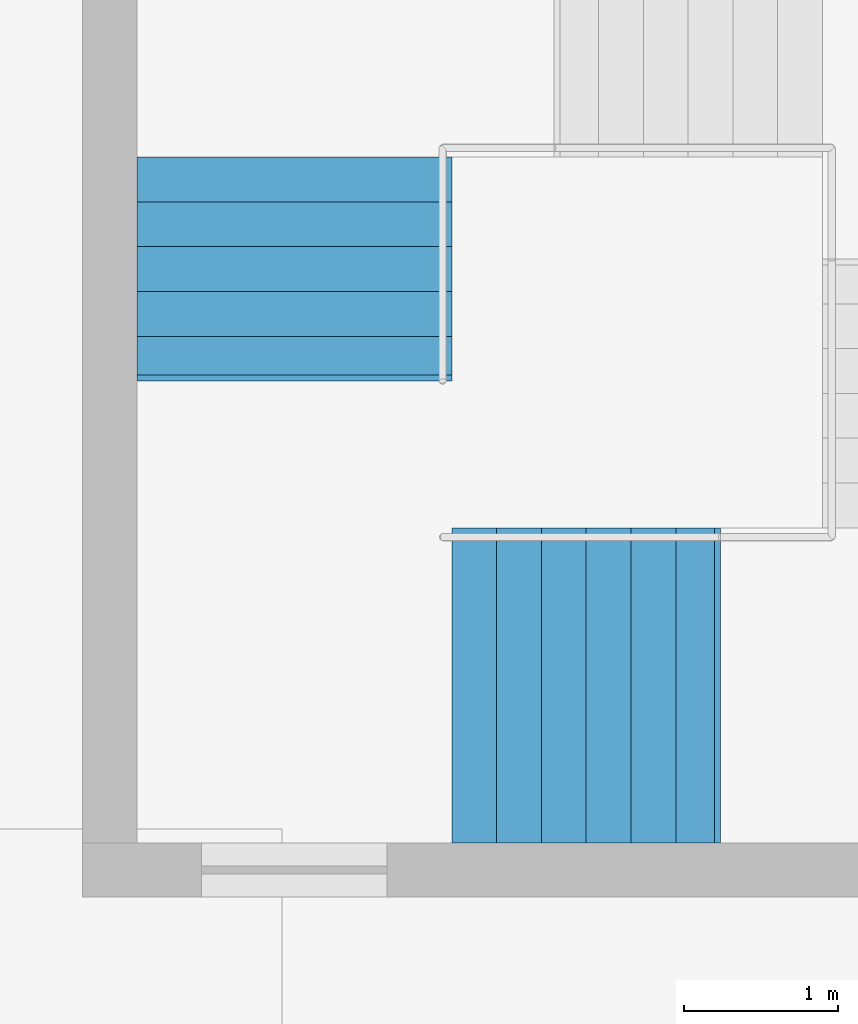
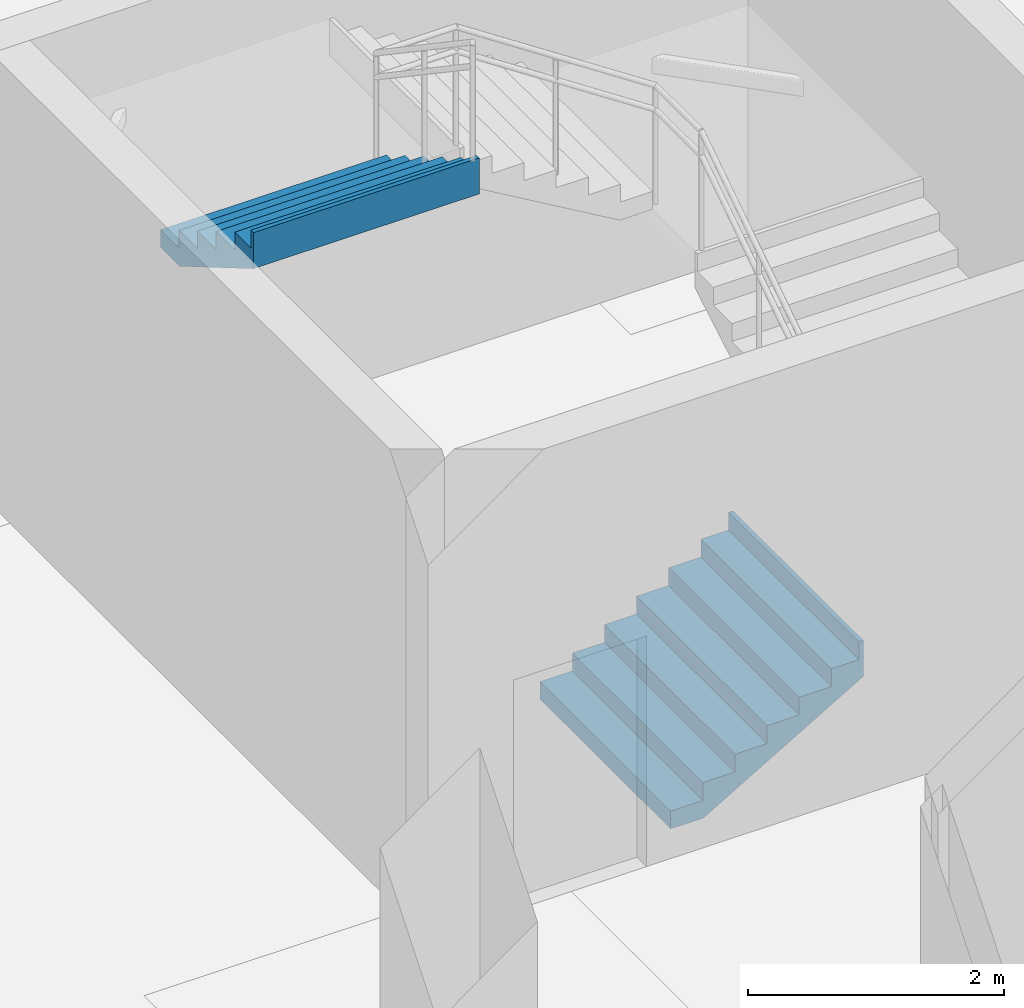
# One storey, part 21 of 30: 2 stair flights, 1 element without a shape of its own.
"""IFC4 building model written with IfcOpenShell, lengths in metres."""

from ifc_helpers import new_model, si_unit, direction, frame, origin, place, context, subcontext, project, spatial, triangles, material, type_object, element, aggregate, save


model = new_model("IFC4")

# Units and contexts
model_context = context("Model", 3, precision=1e-05, world=origin(), true_north=direction((0.0, 1.0)))
body_context = subcontext(model_context, "Body", "Model", "MODEL_VIEW")
ifc_project = project(units=[si_unit("LENGTHUNIT", "METRE"), si_unit("AREAUNIT", "SQUARE_METRE"), si_unit("VOLUMEUNIT", "CUBIC_METRE"), si_unit("PLANEANGLEUNIT", "RADIAN"), si_unit("MASSUNIT", "GRAM", prefix="KILO")], contexts=[model_context])

# Site, building, storey
site_placement = place(None, origin())
site = spatial("IfcSite", under=ifc_project, at=site_placement, CompositionType="ELEMENT")
building_placement = place(site_placement, origin())
building = spatial("IfcBuilding", under=site, at=building_placement, Name="Sillaruma Civic Art Gallery", CompositionType="ELEMENT")
storey_placement = place(building_placement, frame((0.0, 0.0, -9.179931640625)))
storey = spatial("IfcBuildingStorey", under=building, at=storey_placement, Name="B02", CompositionType="ELEMENT", Elevation=-9.179931640625)

# Stair, stair flights
ifc_material = material(Name="Concrete H35 (35 MPa)", Category="concrete")
stair_type = type_object("IfcStairType", Name="STR-4F-27", PredefinedType="USERDEFINED", material=ifc_material)
stair_placement = place(storey_placement, origin())
stair = element("IfcStair", 1, at=stair_placement, inside=storey, type_object=stair_type, Name="Protected Exit Stair ST-04 (East Bar) (B02)", ObjectType="THREE_RETURN_STAIR", PredefinedType="USERDEFINED")
stair_flight_type_1 = type_object("IfcStairFlightType", Name="SFL-STR-6", PredefinedType="STRAIGHT", material=ifc_material)
stair_flight_1_placement = place(storey_placement, frame((99.8798828125, 55.64990234375, 3.56982421875), z_axis=(0.0, 0.0, 1.0), x_axis=(0.0, -1.0, 0.0)))
stair_flight_1 = element("IfcStairFlight", 2, at=stair_flight_1_placement, type_object=stair_flight_type_1, Name="ST-04 flight 4", NumberOfRisers=6, NumberOfTreads=5, PredefinedType="STRAIGHT", RiserHeight=0.17, TreadLength=0.29, context=body_context, shape_type="Tessellation", body=[
    triangles([(0.0, -1.02001953125, 0.0), (0.29, -1.02001953125, 0.0), (0.296365, -1.02001953125, 0.0), (0.58, -1.02001953125, 0.166269), (0.87, -1.02001953125, 0.336269), (1.16, -1.02001953125, 0.506269), (1.409951, -1.02001953125, 0.652792), (1.449951, -1.02001953125, 0.67624), (1.449951, -1.02001953125, 1.02), (1.409951, -1.02001953125, 1.02), (1.409951, -1.02001953125, 0.85), (1.16, -1.02001953125, 0.85), (1.16, -1.02001953125, 0.68), (0.87, -1.02001953125, 0.68), (0.87, -1.02001953125, 0.51), (0.58, -1.02001953125, 0.51), (0.58, -1.02001953125, 0.34), (0.296365, -1.02001953125, 0.34), (0.29, -1.02001953125, 0.34), (0.29, -1.02001953125, 0.17), (0.0, -1.02001953125, 0.17), (0.0, -0.05, 0.0), (0.29, -0.05, 0.0), (0.296365, -0.05, 0.0), (0.58, -0.05, 0.166269), (0.87, -0.05, 0.336269), (1.16, -0.05, 0.506269), (1.409951, -0.05, 0.652792), (1.449951, -0.05, 0.67624), (1.449951, -0.05, 1.02), (1.409951, -0.05, 1.02), (1.409951, -0.05, 0.85), (1.16, -0.05, 0.85), (1.16, -0.05, 0.68), (0.87, -0.05, 0.68), (0.87, -0.05, 0.51), (0.58, -0.05, 0.51), (0.58, -0.05, 0.34), (0.296365, -0.05, 0.34), (0.29, -0.05, 0.34), (0.29, -0.05, 0.17), (0.0, -0.05, 0.17), (0.0, -0.0375, 0.0), (0.29, -0.0375, 0.0), (0.296365, -0.0375, 0.0), (0.58, -0.0375, 0.166269), (0.87, -0.0375, 0.336269), (1.16, -0.0375, 0.506269), (1.409951, -0.0375, 0.652792), (1.449951, -0.0375, 0.67624), (1.449951, -0.0375, 1.02), (1.409951, -0.0375, 1.02), (1.409951, -0.0375, 0.85), (1.16, -0.0375, 0.85), (1.16, -0.0375, 0.68), (0.87, -0.0375, 0.68), (0.87, -0.0375, 0.51), (0.58, -0.0375, 0.51), (0.58, -0.0375, 0.34), (0.296365, -0.0375, 0.34), (0.29, -0.0375, 0.34), (0.29, -0.0375, 0.17), (0.0, -0.0375, 0.17), (0.0, -0.025, 0.0), (0.29, -0.025, 0.0), (0.296365, -0.025, 0.0), (0.58, -0.025, 0.166269), (0.87, -0.025, 0.336269), (1.16, -0.025, 0.506269), (1.409951, -0.025, 0.652792), (1.449951, -0.025, 0.67624), (1.449951, -0.025, 1.02), (1.409951, -0.025, 1.02), (1.409951, -0.025, 0.85), (1.16, -0.025, 0.85), (1.16, -0.025, 0.68), (0.87, -0.025, 0.68), (0.87, -0.025, 0.51), (0.58, -0.025, 0.51), (0.58, -0.025, 0.34), (0.296365, -0.025, 0.34), (0.29, -0.025, 0.34), (0.29, -0.025, 0.17), (0.0, -0.025, 0.17), (0.0, -0.0125, 0.0), (0.29, -0.0125, 0.0), (0.296365, -0.0125, 0.0), (0.58, -0.0125, 0.166269), (0.87, -0.0125, 0.336269), (1.16, -0.0125, 0.506269), (1.409951, -0.0125, 0.652792), (1.449951, -0.0125, 0.67624), (1.449951, -0.0125, 1.02), (1.409951, -0.0125, 1.02), (1.409951, -0.0125, 0.85), (1.16, -0.0125, 0.85), (1.16, -0.0125, 0.68), (0.87, -0.0125, 0.68), (0.87, -0.0125, 0.51), (0.58, -0.0125, 0.51), (0.58, -0.0125, 0.34), (0.296365, -0.0125, 0.34), (0.29, -0.0125, 0.34), (0.29, -0.0125, 0.17), (0.0, -0.0125, 0.17), (0.0, 0.0, 0.0), (0.29, 0.0, 0.0), (0.296365, 0.0, 0.0), (0.58, 0.0, 0.166269), (0.87, 0.0, 0.336269), (1.16, 0.0, 0.506269), (1.409951, 0.0, 0.652792), (1.449951, 0.0, 0.67624), (1.449951, 0.0, 1.02), (1.409951, 0.0, 1.02), (1.409951, 0.0, 0.85), (1.16, 0.0, 0.85), (1.16, 0.0, 0.68), (0.87, 0.0, 0.68), (0.87, 0.0, 0.51), (0.58, 0.0, 0.51), (0.58, 0.0, 0.34), (0.296365, 0.0, 0.34), (0.29, 0.0, 0.34), (0.29, 0.0, 0.17), (0.0, 0.0, 0.17), (0.0, 0.0125, 0.0), (0.29, 0.0125, 0.0), (0.296365, 0.0125, 0.0), (0.58, 0.0125, 0.166269), (0.87, 0.0125, 0.336269), (1.16, 0.0125, 0.506269), (1.409951, 0.0125, 0.652792), (1.449951, 0.0125, 0.67624), (1.449951, 0.0125, 1.02), (1.409951, 0.0125, 1.02), (1.409951, 0.0125, 0.85), (1.16, 0.0125, 0.85), (1.16, 0.0125, 0.68), (0.87, 0.0125, 0.68), (0.87, 0.0125, 0.51), (0.58, 0.0125, 0.51), (0.58, 0.0125, 0.34), (0.296365, 0.0125, 0.34), (0.29, 0.0125, 0.34), (0.29, 0.0125, 0.17), (0.0, 0.0125, 0.17), (0.0, 0.025, 0.0), (0.29, 0.025, 0.0), (0.296365, 0.025, 0.0), (0.58, 0.025, 0.166269), (0.87, 0.025, 0.336269), (1.16, 0.025, 0.506269), (1.409951, 0.025, 0.652792), (1.449951, 0.025, 0.67624), (1.449951, 0.025, 1.02), (1.409951, 0.025, 1.02), (1.409951, 0.025, 0.85), (1.16, 0.025, 0.85), (1.16, 0.025, 0.68), (0.87, 0.025, 0.68), (0.87, 0.025, 0.51), (0.58, 0.025, 0.51), (0.58, 0.025, 0.34), (0.296365, 0.025, 0.34), (0.29, 0.025, 0.34), (0.29, 0.025, 0.17), (0.0, 0.025, 0.17), (0.0, 0.0375, 0.0), (0.29, 0.0375, 0.0), (0.296365, 0.0375, 0.0), (0.58, 0.0375, 0.166269), (0.87, 0.0375, 0.336269), (1.16, 0.0375, 0.506269), (1.409951, 0.0375, 0.652792), (1.449951, 0.0375, 0.67624), (1.449951, 0.0375, 1.02), (1.409951, 0.0375, 1.02), (1.409951, 0.0375, 0.85), (1.16, 0.0375, 0.85), (1.16, 0.0375, 0.68), (0.87, 0.0375, 0.68), (0.87, 0.0375, 0.51), (0.58, 0.0375, 0.51), (0.58, 0.0375, 0.34), (0.296365, 0.0375, 0.34), (0.29, 0.0375, 0.34), (0.29, 0.0375, 0.17), (0.0, 0.0375, 0.17), (0.0, 0.05, 0.0), (0.29, 0.05, 0.0), (0.296365, 0.05, 0.0), (0.58, 0.05, 0.166269), (0.87, 0.05, 0.336269), (1.16, 0.05, 0.506269), (1.409951, 0.05, 0.652792), (1.449951, 0.05, 0.67624), (1.449951, 0.05, 1.02), (1.409951, 0.05, 1.02), (1.409951, 0.05, 0.85), (1.16, 0.05, 0.85), (1.16, 0.05, 0.68), (0.87, 0.05, 0.68), (0.87, 0.05, 0.51), (0.58, 0.05, 0.51), (0.58, 0.05, 0.34), (0.296365, 0.05, 0.34), (0.29, 0.05, 0.34), (0.29, 0.05, 0.17), (0.0, 0.05, 0.17), (0.0, 1.02001953125, 0.0), (0.29, 1.02001953125, 0.0), (0.296365, 1.02001953125, 0.0), (0.58, 1.02001953125, 0.166269), (0.87, 1.02001953125, 0.336269), (1.16, 1.02001953125, 0.506269), (1.409951, 1.02001953125, 0.652792), (1.449951, 1.02001953125, 0.67624), (1.449951, 1.02001953125, 1.02), (1.409951, 1.02001953125, 1.02), (1.409951, 1.02001953125, 0.85), (1.16, 1.02001953125, 0.85), (1.16, 1.02001953125, 0.68), (0.87, 1.02001953125, 0.68), (0.87, 1.02001953125, 0.51), (0.58, 1.02001953125, 0.51), (0.58, 1.02001953125, 0.34), (0.296365, 1.02001953125, 0.34), (0.29, 1.02001953125, 0.34), (0.29, 1.02001953125, 0.17), (0.0, 1.02001953125, 0.17)], [[1, 2, 20], [1, 20, 21], [2, 3, 18], [2, 18, 20], [20, 18, 19], [3, 4, 17], [3, 17, 18], [4, 5, 15], [4, 15, 17], [17, 15, 16], [5, 6, 13], [5, 13, 15], [15, 13, 14], [6, 7, 11], [6, 11, 13], [13, 11, 12], [7, 8, 9], [7, 9, 11], [11, 9, 10], [230, 212, 211], [231, 230, 211], [228, 213, 212], [230, 228, 212], [229, 228, 230], [227, 214, 213], [228, 227, 213], [225, 215, 214], [227, 225, 214], [226, 225, 227], [223, 216, 215], [225, 223, 215], [224, 223, 225], [221, 217, 216], [223, 221, 216], [222, 221, 223], [219, 218, 217], [221, 219, 217], [220, 219, 221], [2, 1, 22], [2, 22, 23], [3, 2, 23], [3, 23, 24], [4, 3, 24], [4, 24, 25], [5, 4, 25], [5, 25, 26], [6, 5, 26], [6, 26, 27], [7, 6, 27], [7, 27, 28], [8, 7, 28], [8, 28, 29], [9, 8, 29], [9, 29, 30], [10, 9, 30], [10, 30, 31], [11, 10, 31], [11, 31, 32], [12, 11, 32], [12, 32, 33], [13, 12, 33], [13, 33, 34], [14, 13, 34], [14, 34, 35], [15, 14, 35], [15, 35, 36], [16, 15, 36], [16, 36, 37], [17, 16, 37], [17, 37, 38], [18, 17, 38], [18, 38, 39], [19, 18, 39], [19, 39, 40], [20, 19, 40], [20, 40, 41], [21, 20, 41], [21, 41, 42], [1, 21, 42], [1, 42, 22], [23, 22, 43], [23, 43, 44], [24, 23, 44], [24, 44, 45], [25, 24, 45], [25, 45, 46], [26, 25, 46], [26, 46, 47], [27, 26, 47], [27, 47, 48], [28, 27, 48], [28, 48, 49], [29, 28, 49], [29, 49, 50], [30, 29, 50], [30, 50, 51], [31, 30, 51], [31, 51, 52], [32, 31, 52], [32, 52, 53], [33, 32, 53], [33, 53, 54], [34, 33, 54], [34, 54, 55], [35, 34, 55], [35, 55, 56], [36, 35, 56], [36, 56, 57], [37, 36, 57], [37, 57, 58], [38, 37, 58], [38, 58, 59], [39, 38, 59], [39, 59, 60], [40, 39, 60], [40, 60, 61], [41, 40, 61], [41, 61, 62], [42, 41, 62], [42, 62, 63], [22, 42, 63], [22, 63, 43], [44, 43, 64], [44, 64, 65], [45, 44, 65], [45, 65, 66], [46, 45, 66], [46, 66, 67], [47, 46, 67], [47, 67, 68], [48, 47, 68], [48, 68, 69], [49, 48, 69], [49, 69, 70], [50, 49, 70], [50, 70, 71], [51, 50, 71], [51, 71, 72], [52, 51, 72], [52, 72, 73], [53, 52, 73], [53, 73, 74], [54, 53, 74], [54, 74, 75], [55, 54, 75], [55, 75, 76], [56, 55, 76], [56, 76, 77], [57, 56, 77], [57, 77, 78], [58, 57, 78], [58, 78, 79], [59, 58, 79], [59, 79, 80], [60, 59, 80], [60, 80, 81], [61, 60, 81], [61, 81, 82], [62, 61, 82], [62, 82, 83], [63, 62, 83], [63, 83, 84], [43, 63, 84], [43, 84, 64], [65, 64, 85], [65, 85, 86], [66, 65, 86], [66, 86, 87], [67, 66, 87], [67, 87, 88], [68, 67, 88], [68, 88, 89], [69, 68, 89], [69, 89, 90], [70, 69, 90], [70, 90, 91], [71, 70, 91], [71, 91, 92], [72, 71, 92], [72, 92, 93], [73, 72, 93], [73, 93, 94], [74, 73, 94], [74, 94, 95], [75, 74, 95], [75, 95, 96], [76, 75, 96], [76, 96, 97], [77, 76, 97], [77, 97, 98], [78, 77, 98], [78, 98, 99], [79, 78, 99], [79, 99, 100], [80, 79, 100], [80, 100, 101], [81, 80, 101], [81, 101, 102], [82, 81, 102], [82, 102, 103], [83, 82, 103], [83, 103, 104], [84, 83, 104], [84, 104, 105], [64, 84, 105], [64, 105, 85], [86, 85, 106], [86, 106, 107], [87, 86, 107], [87, 107, 108], [88, 87, 108], [88, 108, 109], [89, 88, 109], [89, 109, 110], [90, 89, 110], [90, 110, 111], [91, 90, 111], [91, 111, 112], [92, 91, 112], [92, 112, 113], [93, 92, 113], [93, 113, 114], [94, 93, 114], [94, 114, 115], [95, 94, 115], [95, 115, 116], [96, 95, 116], [96, 116, 117], [97, 96, 117], [97, 117, 118], [98, 97, 118], [98, 118, 119], [99, 98, 119], [99, 119, 120], [100, 99, 120], [100, 120, 121], [101, 100, 121], [101, 121, 122], [102, 101, 122], [102, 122, 123], [103, 102, 123], [103, 123, 124], [104, 103, 124], [104, 124, 125], [105, 104, 125], [105, 125, 126], [85, 105, 126], [85, 126, 106], [107, 106, 127], [107, 127, 128], [108, 107, 128], [108, 128, 129], [109, 108, 129], [109, 129, 130], [110, 109, 130], [110, 130, 131], [111, 110, 131], [111, 131, 132], [112, 111, 132], [112, 132, 133], [113, 112, 133], [113, 133, 134], [114, 113, 134], [114, 134, 135], [115, 114, 135], [115, 135, 136], [116, 115, 136], [116, 136, 137], [117, 116, 137], [117, 137, 138], [118, 117, 138], [118, 138, 139], [119, 118, 139], [119, 139, 140], [120, 119, 140], [120, 140, 141], [121, 120, 141], [121, 141, 142], [122, 121, 142], [122, 142, 143], [123, 122, 143], [123, 143, 144], [124, 123, 144], [124, 144, 145], [125, 124, 145], [125, 145, 146], [126, 125, 146], [126, 146, 147], [106, 126, 147], [106, 147, 127], [128, 127, 148], [128, 148, 149], [129, 128, 149], [129, 149, 150], [130, 129, 150], [130, 150, 151], [131, 130, 151], [131, 151, 152], [132, 131, 152], [132, 152, 153], [133, 132, 153], [133, 153, 154], [134, 133, 154], [134, 154, 155], [135, 134, 155], [135, 155, 156], [136, 135, 156], [136, 156, 157], [137, 136, 157], [137, 157, 158], [138, 137, 158], [138, 158, 159], [139, 138, 159], [139, 159, 160], [140, 139, 160], [140, 160, 161], [141, 140, 161], [141, 161, 162], [142, 141, 162], [142, 162, 163], [143, 142, 163], [143, 163, 164], [144, 143, 164], [144, 164, 165], [145, 144, 165], [145, 165, 166], [146, 145, 166], [146, 166, 167], [147, 146, 167], [147, 167, 168], [127, 147, 168], [127, 168, 148], [149, 148, 169], [149, 169, 170], [150, 149, 170], [150, 170, 171], [151, 150, 171], [151, 171, 172], [152, 151, 172], [152, 172, 173], [153, 152, 173], [153, 173, 174], [154, 153, 174], [154, 174, 175], [155, 154, 175], [155, 175, 176], [156, 155, 176], [156, 176, 177], [157, 156, 177], [157, 177, 178], [158, 157, 178], [158, 178, 179], [159, 158, 179], [159, 179, 180], [160, 159, 180], [160, 180, 181], [161, 160, 181], [161, 181, 182], [162, 161, 182], [162, 182, 183], [163, 162, 183], [163, 183, 184], [164, 163, 184], [164, 184, 185], [165, 164, 185], [165, 185, 186], [166, 165, 186], [166, 186, 187], [167, 166, 187], [167, 187, 188], [168, 167, 188], [168, 188, 189], [148, 168, 189], [148, 189, 169], [170, 169, 190], [170, 190, 191], [171, 170, 191], [171, 191, 192], [172, 171, 192], [172, 192, 193], [173, 172, 193], [173, 193, 194], [174, 173, 194], [174, 194, 195], [175, 174, 195], [175, 195, 196], [176, 175, 196], [176, 196, 197], [177, 176, 197], [177, 197, 198], [178, 177, 198], [178, 198, 199], [179, 178, 199], [179, 199, 200], [180, 179, 200], [180, 200, 201], [181, 180, 201], [181, 201, 202], [182, 181, 202], [182, 202, 203], [183, 182, 203], [183, 203, 204], [184, 183, 204], [184, 204, 205], [185, 184, 205], [185, 205, 206], [186, 185, 206], [186, 206, 207], [187, 186, 207], [187, 207, 208], [188, 187, 208], [188, 208, 209], [189, 188, 209], [189, 209, 210], [169, 189, 210], [169, 210, 190], [191, 190, 211], [191, 211, 212], [192, 191, 212], [192, 212, 213], [193, 192, 213], [193, 213, 214], [194, 193, 214], [194, 214, 215], [195, 194, 215], [195, 215, 216], [196, 195, 216], [196, 216, 217], [197, 196, 217], [197, 217, 218], [198, 197, 218], [198, 218, 219], [199, 198, 219], [199, 219, 220], [200, 199, 220], [200, 220, 221], [201, 200, 221], [201, 221, 222], [202, 201, 222], [202, 222, 223], [203, 202, 223], [203, 223, 224], [204, 203, 224], [204, 224, 225], [205, 204, 225], [205, 225, 226], [206, 205, 226], [206, 226, 227], [207, 206, 227], [207, 227, 228], [208, 207, 228], [208, 228, 229], [209, 208, 229], [209, 229, 230], [210, 209, 230], [210, 230, 231], [190, 210, 231], [190, 231, 211]], closed=True),
])
stair_flight_type_2 = type_object("IfcStairFlightType", Name="SFL-STR-7", PredefinedType="STRAIGHT", material=ifc_material)
stair_flight_2_placement = place(storey_placement, frame((100.89990234375, 52.22998046875, 0.0), z_axis=(0.0, 0.0, 1.0), x_axis=(1.0, 0.0, 0.0)))
stair_flight_2 = element("IfcStairFlight", 3, at=stair_flight_2_placement, type_object=stair_flight_type_2, Name="ST-04 flight 1", NumberOfRisers=7, NumberOfTreads=6, PredefinedType="STRAIGHT", RiserHeight=0.17, TreadLength=0.29, context=body_context, shape_type="Tessellation", body=[
    triangles([(0.0, -1.02001953125, 0.0), (0.29, -1.02001953125, 0.0), (0.296404, -1.02001953125, 0.0), (0.58, -1.02001953125, 0.166246), (0.87, -1.02001953125, 0.336246), (1.16, -1.02001953125, 0.506246), (1.45, -1.02001953125, 0.676246), (1.69999, -1.02001953125, 0.822792), (1.73999, -1.02001953125, 0.84624), (1.73999, -1.02001953125, 1.19), (1.69999, -1.02001953125, 1.19), (1.69999, -1.02001953125, 1.02), (1.45, -1.02001953125, 1.02), (1.45, -1.02001953125, 0.85), (1.16, -1.02001953125, 0.85), (1.16, -1.02001953125, 0.68), (0.87, -1.02001953125, 0.68), (0.87, -1.02001953125, 0.51), (0.58, -1.02001953125, 0.51), (0.58, -1.02001953125, 0.34), (0.296404, -1.02001953125, 0.34), (0.29, -1.02001953125, 0.34), (0.29, -1.02001953125, 0.17), (0.0, -1.02001953125, 0.17), (0.0, -0.05, 0.0), (0.29, -0.05, 0.0), (0.296404, -0.05, 0.0), (0.58, -0.05, 0.166246), (0.87, -0.05, 0.336246), (1.16, -0.05, 0.506246), (1.45, -0.05, 0.676246), (1.69999, -0.05, 0.822792), (1.73999, -0.05, 0.84624), (1.73999, -0.05, 1.19), (1.69999, -0.05, 1.19), (1.69999, -0.05, 1.02), (1.45, -0.05, 1.02), (1.45, -0.05, 0.85), (1.16, -0.05, 0.85), (1.16, -0.05, 0.68), (0.87, -0.05, 0.68), (0.87, -0.05, 0.51), (0.58, -0.05, 0.51), (0.58, -0.05, 0.34), (0.296404, -0.05, 0.34), (0.29, -0.05, 0.34), (0.29, -0.05, 0.17), (0.0, -0.05, 0.17), (0.0, -0.0375, 0.0), (0.29, -0.0375, 0.0), (0.296404, -0.0375, 0.0), (0.58, -0.0375, 0.166246), (0.87, -0.0375, 0.336246), (1.16, -0.0375, 0.506246), (1.45, -0.0375, 0.676246), (1.69999, -0.0375, 0.822792), (1.73999, -0.0375, 0.84624), (1.73999, -0.0375, 1.19), (1.69999, -0.0375, 1.19), (1.69999, -0.0375, 1.02), (1.45, -0.0375, 1.02), (1.45, -0.0375, 0.85), (1.16, -0.0375, 0.85), (1.16, -0.0375, 0.68), (0.87, -0.0375, 0.68), (0.87, -0.0375, 0.51), (0.58, -0.0375, 0.51), (0.58, -0.0375, 0.34), (0.296404, -0.0375, 0.34), (0.29, -0.0375, 0.34), (0.29, -0.0375, 0.17), (0.0, -0.0375, 0.17), (0.0, -0.025, 0.0), (0.29, -0.025, 0.0), (0.296404, -0.025, 0.0), (0.58, -0.025, 0.166246), (0.87, -0.025, 0.336246), (1.16, -0.025, 0.506246), (1.45, -0.025, 0.676246), (1.69999, -0.025, 0.822792), (1.73999, -0.025, 0.84624), (1.73999, -0.025, 1.19), (1.69999, -0.025, 1.19), (1.69999, -0.025, 1.02), (1.45, -0.025, 1.02), (1.45, -0.025, 0.85), (1.16, -0.025, 0.85), (1.16, -0.025, 0.68), (0.87, -0.025, 0.68), (0.87, -0.025, 0.51), (0.58, -0.025, 0.51), (0.58, -0.025, 0.34), (0.296404, -0.025, 0.34), (0.29, -0.025, 0.34), (0.29, -0.025, 0.17), (0.0, -0.025, 0.17), (0.0, -0.0125, 0.0), (0.29, -0.0125, 0.0), (0.296404, -0.0125, 0.0), (0.58, -0.0125, 0.166246), (0.87, -0.0125, 0.336246), (1.16, -0.0125, 0.506246), (1.45, -0.0125, 0.676246), (1.69999, -0.0125, 0.822792), (1.73999, -0.0125, 0.84624), (1.73999, -0.0125, 1.19), (1.69999, -0.0125, 1.19), (1.69999, -0.0125, 1.02), (1.45, -0.0125, 1.02), (1.45, -0.0125, 0.85), (1.16, -0.0125, 0.85), (1.16, -0.0125, 0.68), (0.87, -0.0125, 0.68), (0.87, -0.0125, 0.51), (0.58, -0.0125, 0.51), (0.58, -0.0125, 0.34), (0.296404, -0.0125, 0.34), (0.29, -0.0125, 0.34), (0.29, -0.0125, 0.17), (0.0, -0.0125, 0.17), (0.0, 0.0, 0.0), (0.29, 0.0, 0.0), (0.296404, 0.0, 0.0), (0.58, 0.0, 0.166246), (0.87, 0.0, 0.336246), (1.16, 0.0, 0.506246), (1.45, 0.0, 0.676246), (1.69999, 0.0, 0.822792), (1.73999, 0.0, 0.84624), (1.73999, 0.0, 1.19), (1.69999, 0.0, 1.19), (1.69999, 0.0, 1.02), (1.45, 0.0, 1.02), (1.45, 0.0, 0.85), (1.16, 0.0, 0.85), (1.16, 0.0, 0.68), (0.87, 0.0, 0.68), (0.87, 0.0, 0.51), (0.58, 0.0, 0.51), (0.58, 0.0, 0.34), (0.296404, 0.0, 0.34), (0.29, 0.0, 0.34), (0.29, 0.0, 0.17), (0.0, 0.0, 0.17), (0.0, 0.0125, 0.0), (0.29, 0.0125, 0.0), (0.296404, 0.0125, 0.0), (0.58, 0.0125, 0.166246), (0.87, 0.0125, 0.336246), (1.16, 0.0125, 0.506246), (1.45, 0.0125, 0.676246), (1.69999, 0.0125, 0.822792), (1.73999, 0.0125, 0.84624), (1.73999, 0.0125, 1.19), (1.69999, 0.0125, 1.19), (1.69999, 0.0125, 1.02), (1.45, 0.0125, 1.02), (1.45, 0.0125, 0.85), (1.16, 0.0125, 0.85), (1.16, 0.0125, 0.68), (0.87, 0.0125, 0.68), (0.87, 0.0125, 0.51), (0.58, 0.0125, 0.51), (0.58, 0.0125, 0.34), (0.296404, 0.0125, 0.34), (0.29, 0.0125, 0.34), (0.29, 0.0125, 0.17), (0.0, 0.0125, 0.17), (0.0, 0.025, 0.0), (0.29, 0.025, 0.0), (0.296404, 0.025, 0.0), (0.58, 0.025, 0.166246), (0.87, 0.025, 0.336246), (1.16, 0.025, 0.506246), (1.45, 0.025, 0.676246), (1.69999, 0.025, 0.822792), (1.73999, 0.025, 0.84624), (1.73999, 0.025, 1.19), (1.69999, 0.025, 1.19), (1.69999, 0.025, 1.02), (1.45, 0.025, 1.02), (1.45, 0.025, 0.85), (1.16, 0.025, 0.85), (1.16, 0.025, 0.68), (0.87, 0.025, 0.68), (0.87, 0.025, 0.51), (0.58, 0.025, 0.51), (0.58, 0.025, 0.34), (0.296404, 0.025, 0.34), (0.29, 0.025, 0.34), (0.29, 0.025, 0.17), (0.0, 0.025, 0.17), (0.0, 0.0375, 0.0), (0.29, 0.0375, 0.0), (0.296404, 0.0375, 0.0), (0.58, 0.0375, 0.166246), (0.87, 0.0375, 0.336246), (1.16, 0.0375, 0.506246), (1.45, 0.0375, 0.676246), (1.69999, 0.0375, 0.822792), (1.73999, 0.0375, 0.84624), (1.73999, 0.0375, 1.19), (1.69999, 0.0375, 1.19), (1.69999, 0.0375, 1.02), (1.45, 0.0375, 1.02), (1.45, 0.0375, 0.85), (1.16, 0.0375, 0.85), (1.16, 0.0375, 0.68), (0.87, 0.0375, 0.68), (0.87, 0.0375, 0.51), (0.58, 0.0375, 0.51), (0.58, 0.0375, 0.34), (0.296404, 0.0375, 0.34), (0.29, 0.0375, 0.34), (0.29, 0.0375, 0.17), (0.0, 0.0375, 0.17), (0.0, 0.05, 0.0), (0.29, 0.05, 0.0), (0.296404, 0.05, 0.0), (0.58, 0.05, 0.166246), (0.87, 0.05, 0.336246), (1.16, 0.05, 0.506246), (1.45, 0.05, 0.676246), (1.69999, 0.05, 0.822792), (1.73999, 0.05, 0.84624), (1.73999, 0.05, 1.19), (1.69999, 0.05, 1.19), (1.69999, 0.05, 1.02), (1.45, 0.05, 1.02), (1.45, 0.05, 0.85), (1.16, 0.05, 0.85), (1.16, 0.05, 0.68), (0.87, 0.05, 0.68), (0.87, 0.05, 0.51), (0.58, 0.05, 0.51), (0.58, 0.05, 0.34), (0.296404, 0.05, 0.34), (0.29, 0.05, 0.34), (0.29, 0.05, 0.17), (0.0, 0.05, 0.17), (0.0, 1.02001953125, 0.0), (0.29, 1.02001953125, 0.0), (0.296404, 1.02001953125, 0.0), (0.58, 1.02001953125, 0.166246), (0.87, 1.02001953125, 0.336246), (1.16, 1.02001953125, 0.506246), (1.45, 1.02001953125, 0.676246), (1.69999, 1.02001953125, 0.822792), (1.73999, 1.02001953125, 0.84624), (1.73999, 1.02001953125, 1.19), (1.69999, 1.02001953125, 1.19), (1.69999, 1.02001953125, 1.02), (1.45, 1.02001953125, 1.02), (1.45, 1.02001953125, 0.85), (1.16, 1.02001953125, 0.85), (1.16, 1.02001953125, 0.68), (0.87, 1.02001953125, 0.68), (0.87, 1.02001953125, 0.51), (0.58, 1.02001953125, 0.51), (0.58, 1.02001953125, 0.34), (0.296404, 1.02001953125, 0.34), (0.29, 1.02001953125, 0.34), (0.29, 1.02001953125, 0.17), (0.0, 1.02001953125, 0.17)], [[1, 2, 23], [1, 23, 24], [2, 3, 21], [2, 21, 23], [23, 21, 22], [3, 4, 20], [3, 20, 21], [4, 5, 18], [4, 18, 20], [20, 18, 19], [5, 6, 16], [5, 16, 18], [18, 16, 17], [6, 7, 14], [6, 14, 16], [16, 14, 15], [7, 8, 12], [7, 12, 14], [14, 12, 13], [8, 9, 10], [8, 10, 12], [12, 10, 11], [263, 242, 241], [264, 263, 241], [261, 243, 242], [263, 261, 242], [262, 261, 263], [260, 244, 243], [261, 260, 243], [258, 245, 244], [260, 258, 244], [259, 258, 260], [256, 246, 245], [258, 256, 245], [257, 256, 258], [254, 247, 246], [256, 254, 246], [255, 254, 256], [252, 248, 247], [254, 252, 247], [253, 252, 254], [250, 249, 248], [252, 250, 248], [251, 250, 252], [2, 1, 25], [2, 25, 26], [3, 2, 26], [3, 26, 27], [4, 3, 27], [4, 27, 28], [5, 4, 28], [5, 28, 29], [6, 5, 29], [6, 29, 30], [7, 6, 30], [7, 30, 31], [8, 7, 31], [8, 31, 32], [9, 8, 32], [9, 32, 33], [10, 9, 33], [10, 33, 34], [11, 10, 34], [11, 34, 35], [12, 11, 35], [12, 35, 36], [13, 12, 36], [13, 36, 37], [14, 13, 37], [14, 37, 38], [15, 14, 38], [15, 38, 39], [16, 15, 39], [16, 39, 40], [17, 16, 40], [17, 40, 41], [18, 17, 41], [18, 41, 42], [19, 18, 42], [19, 42, 43], [20, 19, 43], [20, 43, 44], [21, 20, 44], [21, 44, 45], [22, 21, 45], [22, 45, 46], [23, 22, 46], [23, 46, 47], [24, 23, 47], [24, 47, 48], [1, 24, 48], [1, 48, 25], [26, 25, 49], [26, 49, 50], [27, 26, 50], [27, 50, 51], [28, 27, 51], [28, 51, 52], [29, 28, 52], [29, 52, 53], [30, 29, 53], [30, 53, 54], [31, 30, 54], [31, 54, 55], [32, 31, 55], [32, 55, 56], [33, 32, 56], [33, 56, 57], [34, 33, 57], [34, 57, 58], [35, 34, 58], [35, 58, 59], [36, 35, 59], [36, 59, 60], [37, 36, 60], [37, 60, 61], [38, 37, 61], [38, 61, 62], [39, 38, 62], [39, 62, 63], [40, 39, 63], [40, 63, 64], [41, 40, 64], [41, 64, 65], [42, 41, 65], [42, 65, 66], [43, 42, 66], [43, 66, 67], [44, 43, 67], [44, 67, 68], [45, 44, 68], [45, 68, 69], [46, 45, 69], [46, 69, 70], [47, 46, 70], [47, 70, 71], [48, 47, 71], [48, 71, 72], [25, 48, 72], [25, 72, 49], [50, 49, 73], [50, 73, 74], [51, 50, 74], [51, 74, 75], [52, 51, 75], [52, 75, 76], [53, 52, 76], [53, 76, 77], [54, 53, 77], [54, 77, 78], [55, 54, 78], [55, 78, 79], [56, 55, 79], [56, 79, 80], [57, 56, 80], [57, 80, 81], [58, 57, 81], [58, 81, 82], [59, 58, 82], [59, 82, 83], [60, 59, 83], [60, 83, 84], [61, 60, 84], [61, 84, 85], [62, 61, 85], [62, 85, 86], [63, 62, 86], [63, 86, 87], [64, 63, 87], [64, 87, 88], [65, 64, 88], [65, 88, 89], [66, 65, 89], [66, 89, 90], [67, 66, 90], [67, 90, 91], [68, 67, 91], [68, 91, 92], [69, 68, 92], [69, 92, 93], [70, 69, 93], [70, 93, 94], [71, 70, 94], [71, 94, 95], [72, 71, 95], [72, 95, 96], [49, 72, 96], [49, 96, 73], [74, 73, 97], [74, 97, 98], [75, 74, 98], [75, 98, 99], [76, 75, 99], [76, 99, 100], [77, 76, 100], [77, 100, 101], [78, 77, 101], [78, 101, 102], [79, 78, 102], [79, 102, 103], [80, 79, 103], [80, 103, 104], [81, 80, 104], [81, 104, 105], [82, 81, 105], [82, 105, 106], [83, 82, 106], [83, 106, 107], [84, 83, 107], [84, 107, 108], [85, 84, 108], [85, 108, 109], [86, 85, 109], [86, 109, 110], [87, 86, 110], [87, 110, 111], [88, 87, 111], [88, 111, 112], [89, 88, 112], [89, 112, 113], [90, 89, 113], [90, 113, 114], [91, 90, 114], [91, 114, 115], [92, 91, 115], [92, 115, 116], [93, 92, 116], [93, 116, 117], [94, 93, 117], [94, 117, 118], [95, 94, 118], [95, 118, 119], [96, 95, 119], [96, 119, 120], [73, 96, 120], [73, 120, 97], [98, 97, 121], [98, 121, 122], [99, 98, 122], [99, 122, 123], [100, 99, 123], [100, 123, 124], [101, 100, 124], [101, 124, 125], [102, 101, 125], [102, 125, 126], [103, 102, 126], [103, 126, 127], [104, 103, 127], [104, 127, 128], [105, 104, 128], [105, 128, 129], [106, 105, 129], [106, 129, 130], [107, 106, 130], [107, 130, 131], [108, 107, 131], [108, 131, 132], [109, 108, 132], [109, 132, 133], [110, 109, 133], [110, 133, 134], [111, 110, 134], [111, 134, 135], [112, 111, 135], [112, 135, 136], [113, 112, 136], [113, 136, 137], [114, 113, 137], [114, 137, 138], [115, 114, 138], [115, 138, 139], [116, 115, 139], [116, 139, 140], [117, 116, 140], [117, 140, 141], [118, 117, 141], [118, 141, 142], [119, 118, 142], [119, 142, 143], [120, 119, 143], [120, 143, 144], [97, 120, 144], [97, 144, 121], [122, 121, 145], [122, 145, 146], [123, 122, 146], [123, 146, 147], [124, 123, 147], [124, 147, 148], [125, 124, 148], [125, 148, 149], [126, 125, 149], [126, 149, 150], [127, 126, 150], [127, 150, 151], [128, 127, 151], [128, 151, 152], [129, 128, 152], [129, 152, 153], [130, 129, 153], [130, 153, 154], [131, 130, 154], [131, 154, 155], [132, 131, 155], [132, 155, 156], [133, 132, 156], [133, 156, 157], [134, 133, 157], [134, 157, 158], [135, 134, 158], [135, 158, 159], [136, 135, 159], [136, 159, 160], [137, 136, 160], [137, 160, 161], [138, 137, 161], [138, 161, 162], [139, 138, 162], [139, 162, 163], [140, 139, 163], [140, 163, 164], [141, 140, 164], [141, 164, 165], [142, 141, 165], [142, 165, 166], [143, 142, 166], [143, 166, 167], [144, 143, 167], [144, 167, 168], [121, 144, 168], [121, 168, 145], [146, 145, 169], [146, 169, 170], [147, 146, 170], [147, 170, 171], [148, 147, 171], [148, 171, 172], [149, 148, 172], [149, 172, 173], [150, 149, 173], [150, 173, 174], [151, 150, 174], [151, 174, 175], [152, 151, 175], [152, 175, 176], [153, 152, 176], [153, 176, 177], [154, 153, 177], [154, 177, 178], [155, 154, 178], [155, 178, 179], [156, 155, 179], [156, 179, 180], [157, 156, 180], [157, 180, 181], [158, 157, 181], [158, 181, 182], [159, 158, 182], [159, 182, 183], [160, 159, 183], [160, 183, 184], [161, 160, 184], [161, 184, 185], [162, 161, 185], [162, 185, 186], [163, 162, 186], [163, 186, 187], [164, 163, 187], [164, 187, 188], [165, 164, 188], [165, 188, 189], [166, 165, 189], [166, 189, 190], [167, 166, 190], [167, 190, 191], [168, 167, 191], [168, 191, 192], [145, 168, 192], [145, 192, 169], [170, 169, 193], [170, 193, 194], [171, 170, 194], [171, 194, 195], [172, 171, 195], [172, 195, 196], [173, 172, 196], [173, 196, 197], [174, 173, 197], [174, 197, 198], [175, 174, 198], [175, 198, 199], [176, 175, 199], [176, 199, 200], [177, 176, 200], [177, 200, 201], [178, 177, 201], [178, 201, 202], [179, 178, 202], [179, 202, 203], [180, 179, 203], [180, 203, 204], [181, 180, 204], [181, 204, 205], [182, 181, 205], [182, 205, 206], [183, 182, 206], [183, 206, 207], [184, 183, 207], [184, 207, 208], [185, 184, 208], [185, 208, 209], [186, 185, 209], [186, 209, 210], [187, 186, 210], [187, 210, 211], [188, 187, 211], [188, 211, 212], [189, 188, 212], [189, 212, 213], [190, 189, 213], [190, 213, 214], [191, 190, 214], [191, 214, 215], [192, 191, 215], [192, 215, 216], [169, 192, 216], [169, 216, 193], [194, 193, 217], [194, 217, 218], [195, 194, 218], [195, 218, 219], [196, 195, 219], [196, 219, 220], [197, 196, 220], [197, 220, 221], [198, 197, 221], [198, 221, 222], [199, 198, 222], [199, 222, 223], [200, 199, 223], [200, 223, 224], [201, 200, 224], [201, 224, 225], [202, 201, 225], [202, 225, 226], [203, 202, 226], [203, 226, 227], [204, 203, 227], [204, 227, 228], [205, 204, 228], [205, 228, 229], [206, 205, 229], [206, 229, 230], [207, 206, 230], [207, 230, 231], [208, 207, 231], [208, 231, 232], [209, 208, 232], [209, 232, 233], [210, 209, 233], [210, 233, 234], [211, 210, 234], [211, 234, 235], [212, 211, 235], [212, 235, 236], [213, 212, 236], [213, 236, 237], [214, 213, 237], [214, 237, 238], [215, 214, 238], [215, 238, 239], [216, 215, 239], [216, 239, 240], [193, 216, 240], [193, 240, 217], [218, 217, 241], [218, 241, 242], [219, 218, 242], [219, 242, 243], [220, 219, 243], [220, 243, 244], [221, 220, 244], [221, 244, 245], [222, 221, 245], [222, 245, 246], [223, 222, 246], [223, 246, 247], [224, 223, 247], [224, 247, 248], [225, 224, 248], [225, 248, 249], [226, 225, 249], [226, 249, 250], [227, 226, 250], [227, 250, 251], [228, 227, 251], [228, 251, 252], [229, 228, 252], [229, 252, 253], [230, 229, 253], [230, 253, 254], [231, 230, 254], [231, 254, 255], [232, 231, 255], [232, 255, 256], [233, 232, 256], [233, 256, 257], [234, 233, 257], [234, 257, 258], [235, 234, 258], [235, 258, 259], [236, 235, 259], [236, 259, 260], [237, 236, 260], [237, 260, 261], [238, 237, 261], [238, 261, 262], [239, 238, 262], [239, 262, 263], [240, 239, 263], [240, 263, 264], [217, 240, 264], [217, 264, 241]], closed=True),
])
aggregate(stair, [stair_flight_2, stair_flight_1])

save(model, "model.ifc")
